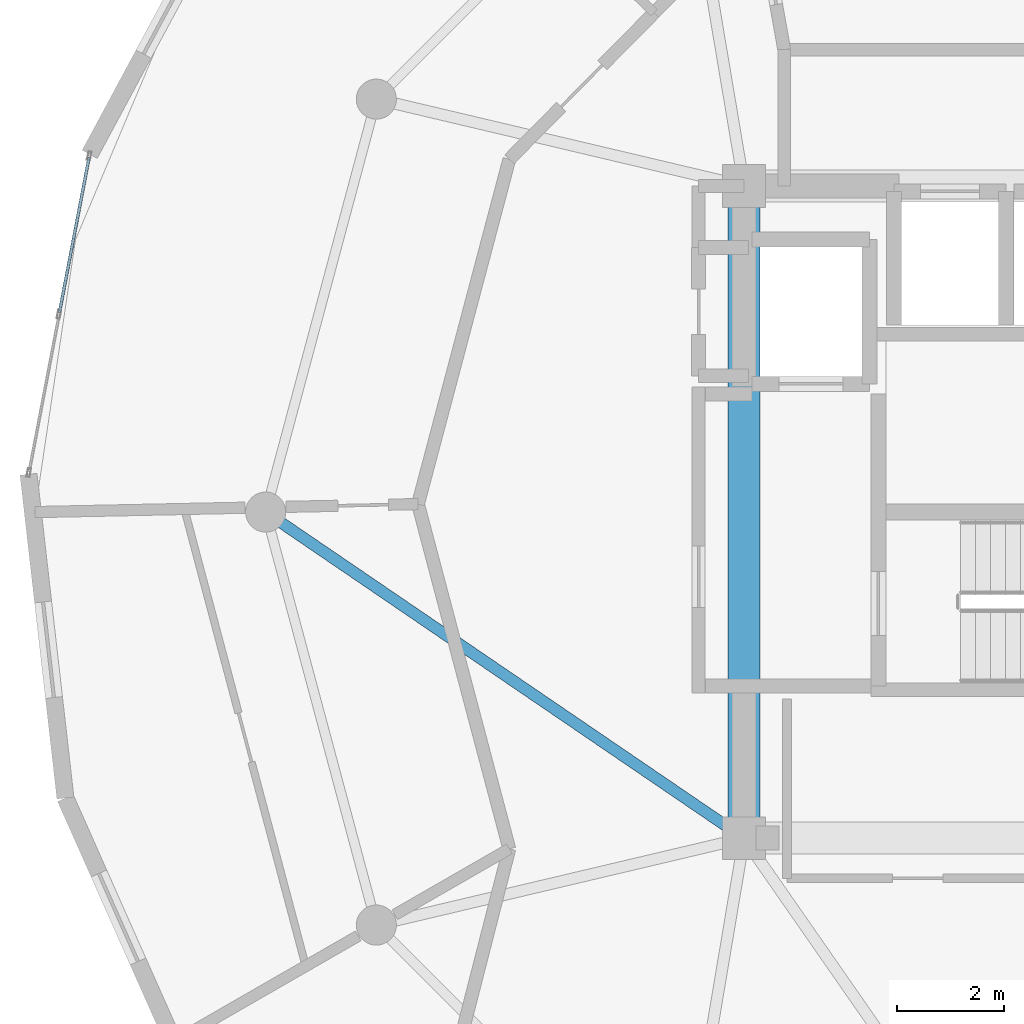
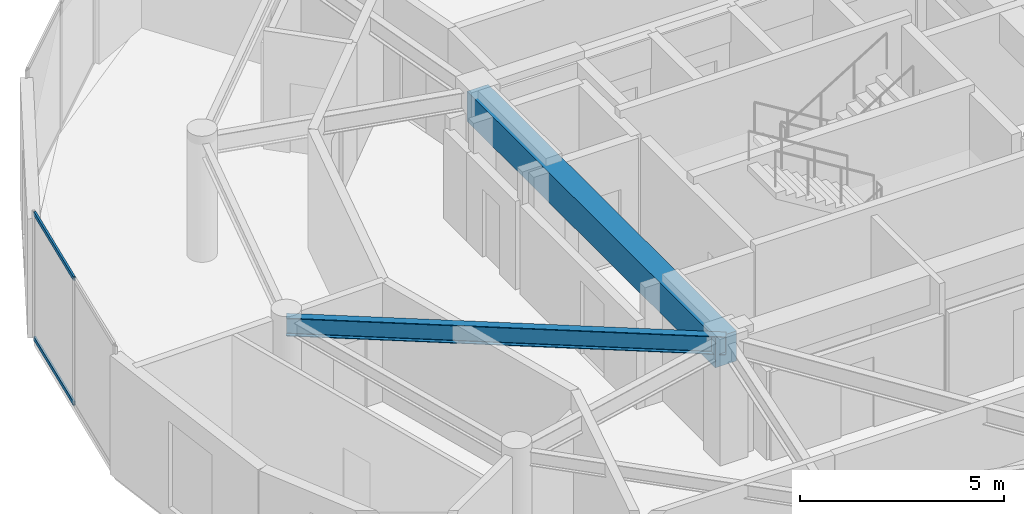
# One storey, part 8 of 23: 2 beams, 2 members, 1 element without a shape of its own.
"""IFC4 building model written with IfcOpenShell, lengths in metres."""

from ifc_helpers import new_model, si_unit, direction, frame, origin, origin_2d, place, context, subcontext, project, spatial, rectangle, hollow_rectangle, i_section, extrude, source, transform, mapped, material, layer, layer_set, material_profile, profile_set, type_object, element, aggregate, save


model = new_model("IFC4")

# Units and contexts
model_context = context("Model", 3, precision=1e-05, world=origin(), true_north=direction((0.0, 1.0)))
body_context = subcontext(model_context, "Body", "Model", "MODEL_VIEW")
ifc_project = project(units=[si_unit("LENGTHUNIT", "METRE"), si_unit("AREAUNIT", "SQUARE_METRE"), si_unit("VOLUMEUNIT", "CUBIC_METRE"), si_unit("PLANEANGLEUNIT", "RADIAN"), si_unit("MASSUNIT", "GRAM", prefix="KILO")], contexts=[model_context])

# Site, building, storey
site_placement = place(None, origin())
site = spatial("IfcSite", under=ifc_project, at=site_placement, CompositionType="ELEMENT")
building_placement = place(site_placement, origin())
building = spatial("IfcBuilding", under=site, at=building_placement, Name="Solvirekh Grand Hotel", CompositionType="ELEMENT")
storey_placement = place(building_placement, frame((0.0, 0.0, 285.800048828125)))
storey = spatial("IfcBuildingStorey", under=building, at=storey_placement, Name="L74", CompositionType="ELEMENT", Elevation=285.800048828125)

# Beams
ifc_material_1 = material(Name="Concrete C50/60", Category="concrete")
ifc_material_profile_1 = material_profile(ifc_material_1, rectangle(XDim=0.60009765625, YDim=0.89990234375, at=origin_2d()), Name="RC BEAM 600X900")
ifc_profile_set_1 = profile_set([ifc_material_profile_1], Name="Concrete C50/60")
beam_type_1 = type_object("IfcBeamType", Name="Beam_Core_RC900", PredefinedType="BEAM", material=ifc_profile_set_1)
beam_1_placement = place(storey_placement, frame((-6.5, 6.10009765625, 3.119873046875), z_axis=(0.0, -1.0, 0.0), x_axis=(1.0, 0.0, 0.0)))
element("IfcBeam", 1, at=beam_1_placement, inside=storey, type_object=beam_type_1, Name="L74 core coupling ring beam 4", PredefinedType="BEAM", context=body_context, shape_type="SweptSolid", body=[
    extrude(rectangle(XDim=0.60009765625, YDim=0.89990234375, at=origin_2d()), origin(), (0.0, 0.0, 1.0), 12.2001953125),
])
ifc_material_2 = material(Name="Steel S355", Category="steel")
ifc_material_profile_2 = material_profile(ifc_material_2, i_section(OverallWidth=0.2119140625, OverallDepth=0.5439453125, WebThickness=0.011962890625, FlangeThickness=0.01904296875, FilletRadius=0.013916015625, at=origin_2d()), Name="W530X123")
ifc_profile_set_2 = profile_set([ifc_material_profile_2], Name="Steel S355")
beam_type_2 = type_object("IfcBeamType", Name="Beam_Radial_W530H", PredefinedType="BEAM", material=ifc_profile_set_2)
beam_2_placement = place(storey_placement, frame((-6.5, -6.10009765625, 3.2978515625), z_axis=(-0.826319370306, 0.563201827285, 0.0), x_axis=(-0.563201827285, -0.826319370306, 0.0)))
element("IfcBeam", 2, at=beam_2_placement, inside=storey, type_object=beam_type_2, Name="L74 radial floor beam R07", PredefinedType="BEAM", context=body_context, shape_type="SweptSolid", body=[
    extrude(i_section(OverallWidth=0.2119140625, OverallDepth=0.5439453125, WebThickness=0.011962890625, FlangeThickness=0.01904296875, FilletRadius=0.013916015625, at=origin_2d()), origin(), (0.0, 0.0, 1.0), 10.8310546875),
])

# Curtain wall, members
ifc_material_3 = material(Name="Anodized Bronze Aluminium 6063-T6", Category="aluminium")
ifc_layer = layer(ifc_material_3, 0.159912109375)
ifc_layer_set = layer_set([ifc_layer], Name="Anodized Bronze Aluminium 6063-T6")
curtain_wall_type = type_object("IfcCurtainWallType", Name="CW_Sys4_HighZoneFlushBronzeCW", PredefinedType="NOTDEFINED", material=ifc_layer_set)
curtain_wall_placement = place(storey_placement, origin())
curtain_wall = element("IfcCurtainWall", 3, at=curtain_wall_placement, inside=storey, type_object=curtain_wall_type, Name="L74 unitised bronze-glass curtain wall CW-L74-C15", PredefinedType="NOTDEFINED")
ifc_material_profile_3 = material_profile(ifc_material_3, hollow_rectangle(XDim=0.054931640625, YDim=0.1201171875, WallThickness=0.00390625, at=origin_2d()), Name="ALU RHS 120X55X4")
ifc_profile_set_3 = profile_set([ifc_material_profile_3], Name="Anodized Bronze Aluminium 6063-T6")
member_type = type_object("IfcMemberType", Name="CWTransom_Sys4", PredefinedType="USERDEFINED", material=ifc_profile_set_3)
shared_shape = source(origin(), body_context, "Body", "SweptSolid", [
    extrude(hollow_rectangle(XDim=0.054931640625, YDim=0.1201171875, WallThickness=0.00390625, at=origin_2d()), origin(), (0.0, 0.0, 1.0), 2.95751953125),
])
member_1_placement = place(storey_placement, frame((-18.754150390625, 6.635009765625, 0.02734375), z_axis=(-0.187711395258, -0.982224226992, 0.0), x_axis=(0.982224226992, -0.187711395258, 0.0)))
member_1 = element("IfcMember", 4, at=member_1_placement, type_object=member_type, Name="U04 transom 1.1", ObjectType="TRANSOM", PredefinedType="USERDEFINED", context=body_context, shape_type="MappedRepresentation", body=[
    mapped(shared_shape, transform((0.0, 0.0, 0.0), x_axis=(1.0, 0.0, 0.0), y_axis=(0.0, 1.0, 0.0), z_axis=(0.0, 0.0, 1.0), scale=1.0)),
])
member_2_placement = place(storey_placement, frame((-18.754150390625, 6.635009765625, 3.7724609375), z_axis=(-0.187711395258, -0.982224226992, 0.0), x_axis=(0.982224226992, -0.187711395258, 0.0)))
member_2 = element("IfcMember", 5, at=member_2_placement, type_object=member_type, Name="U04 transom 1.2", ObjectType="TRANSOM", PredefinedType="USERDEFINED", context=body_context, shape_type="MappedRepresentation", body=[
    mapped(shared_shape, transform((0.0, 0.0, 0.0), x_axis=(1.0, 0.0, 0.0), y_axis=(0.0, 1.0, 0.0), z_axis=(0.0, 0.0, 1.0), scale=1.0)),
])
aggregate(curtain_wall, [member_1, member_2])

save(model, "model.ifc")
